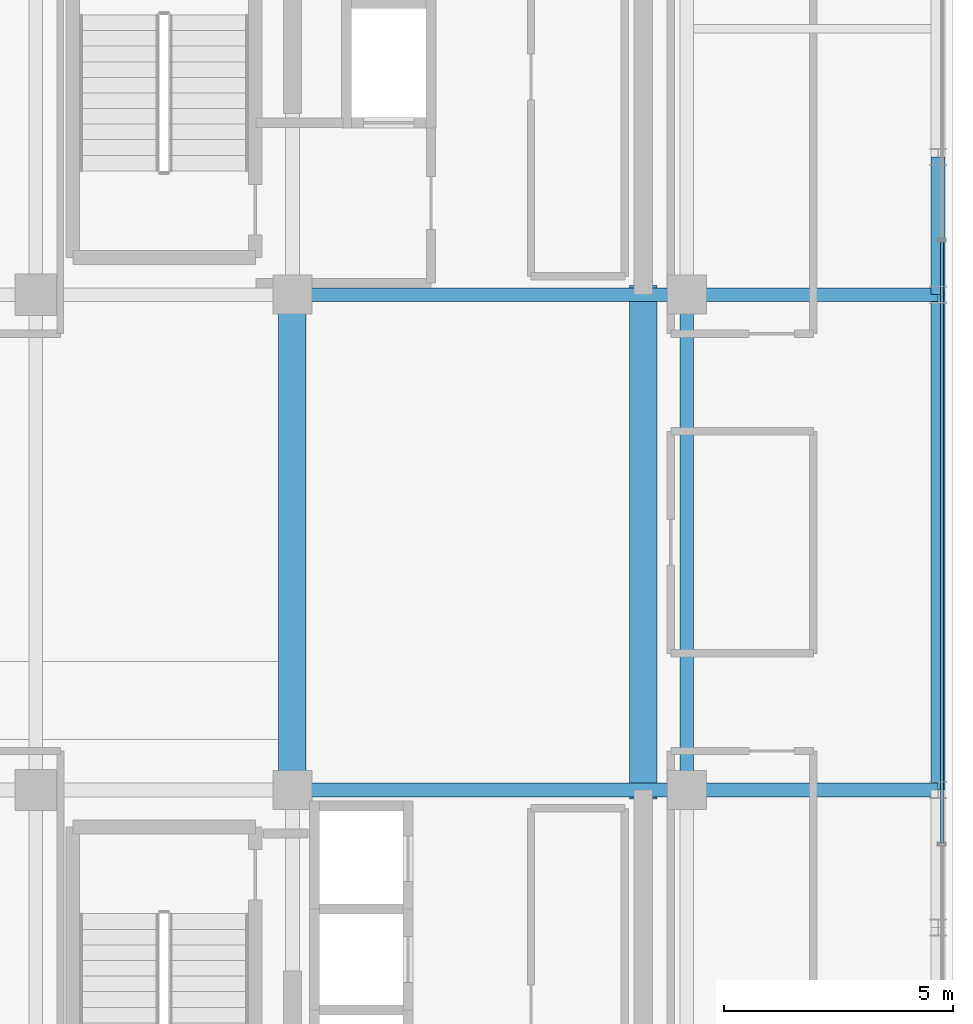
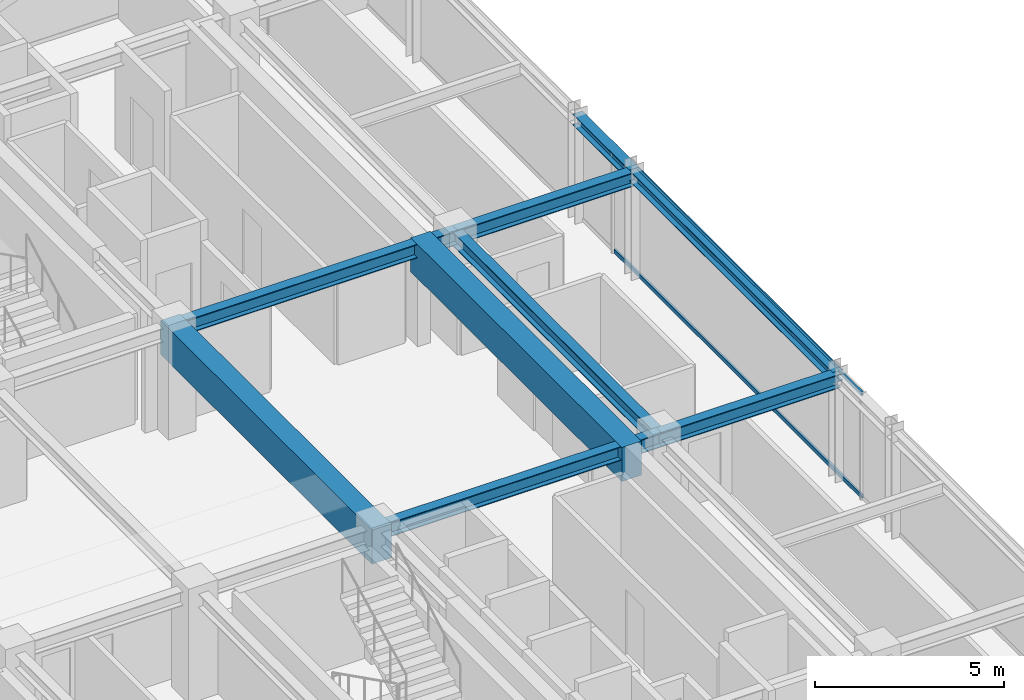
# One storey, part 15 of 36: 9 beams, 2 members, 1 element without a shape of its own.
"""IFC4 building model written with IfcOpenShell, lengths in metres."""

import ifcopenshell
import ifcopenshell.guid

model = None  # the IFC model being written
_history = None  # IfcOwnerHistory: only IFC2X3 demands one
_inside = {}  # id of a spatial element -> (the spatial element, [elements in it])
_under = {}  # id of a project, library or spatial element -> (it, [spatial elements below it])
_declared = {}  # id of a project -> (the project, [libraries it declares])
_typed = {}  # id of a type object -> (the type object, [elements of that type])
_made_of = {}  # id of a material, layer set ... -> (it, [elements and type objects made of it])


def new_model(schema):
    """Start an empty IFC model of exactly this schema.

    Asked for "IFC4X3", IfcOpenShell would pick the latest addendum, in which some entities
    have other attributes; the version numbers below select the first issue.
    IFC2X3 requires an IfcOwnerHistory on every rooted entity: one is made here for all.
    """
    global model, _history
    if schema == "IFC4X3":
        model = ifcopenshell.file(schema_version=(4, 3, 0, 0))
    else:
        model = ifcopenshell.file(schema=schema)
    _inside.clear()
    _under.clear()
    _declared.clear()
    _typed.clear()
    _made_of.clear()
    _history = None
    if model.schema == "IFC2X3":
        org = make("IfcOrganization", Name="unknown")
        user = make(
            "IfcPersonAndOrganization",
            ThePerson=make("IfcPerson", FamilyName="unknown"),
            TheOrganization=org,
        )
        app = make(
            "IfcApplication",
            ApplicationDeveloper=org,
            Version="unknown",
            ApplicationFullName="unknown",
            ApplicationIdentifier="unknown",
        )
        _history = make(
            "IfcOwnerHistory",
            OwningUser=user,
            OwningApplication=app,
            ChangeAction="ADDED",
            CreationDate=0,
        )
    return model


def make(cls, **values):
    """One entity of the class cls with the attributes given. An attribute that is None is left unset."""
    return model.create_entity(
        cls, **{name: value for name, value in values.items() if value is not None}
    )


def rooted(cls, **values):
    """An entity with a GlobalId (a new one), such as an element, a storey or a relation."""
    return make(cls, GlobalId=ifcopenshell.guid.new(), OwnerHistory=_history, **values)


def si_unit(unit_type, name, prefix=None):
    """IfcSIUnit, for example si_unit("LENGTHUNIT", "METRE", prefix="MILLI")."""
    return make("IfcSIUnit", UnitType=unit_type, Prefix=prefix, Name=name)


def assignment(units):
    """IfcUnitAssignment: the units of a project."""
    return None if units is None else make("IfcUnitAssignment", Units=units)


def point(xyz):
    """IfcCartesianPoint."""
    return None if xyz is None else make("IfcCartesianPoint", Coordinates=xyz)


def direction(xyz):
    """IfcDirection."""
    return None if xyz is None else make("IfcDirection", DirectionRatios=xyz)


def frame(location, z_axis=None, x_axis=None):
    """IfcAxis2Placement3D, a coordinate frame: its origin and axes. An axis left out is left unset."""
    return make(
        "IfcAxis2Placement3D",
        Location=point(location),
        Axis=direction(z_axis),
        RefDirection=direction(x_axis),
    )


def frame_2d(location, x_axis=None):
    """IfcAxis2Placement2D, a coordinate frame in the plane: its origin and x axis."""
    return make(
        "IfcAxis2Placement2D", Location=point(location), RefDirection=direction(x_axis)
    )


def origin():
    """The frame at (0, 0, 0) with its axes left unset."""
    return frame((0.0, 0.0, 0.0))


def origin_2d():
    """The frame at (0, 0) in the plane with its x axis left unset."""
    return frame_2d((0.0, 0.0))


def place(relative_to, where):
    """IfcLocalPlacement: puts the frame where relative to a parent placement (None: the world)."""
    return make(
        "IfcLocalPlacement", PlacementRelTo=relative_to, RelativePlacement=where
    )


def context(
    kind, dimensions, precision=None, world=None, true_north=None, identifier=None
):
    """IfcGeometricRepresentationContext, for example the 3D "Model" context."""
    return make(
        "IfcGeometricRepresentationContext",
        ContextIdentifier=identifier,
        ContextType=kind,
        CoordinateSpaceDimension=dimensions,
        Precision=precision,
        WorldCoordinateSystem=world,
        TrueNorth=true_north,
    )


def subcontext(parent, identifier, kind, view, scale=None):
    """IfcGeometricRepresentationSubContext, for example "Body" below "Model"."""
    return make(
        "IfcGeometricRepresentationSubContext",
        ContextIdentifier=identifier,
        ContextType=kind,
        ParentContext=parent,
        TargetScale=scale,
        TargetView=view,
    )


def project(units=None, contexts=None):
    """IfcProject with its units and contexts."""
    return rooted(
        "IfcProject",
        Name="project",
        RepresentationContexts=contexts,
        UnitsInContext=assignment(units),
    )


def spatial(cls, under=None, at=None, **own):
    """A site, building, storey or space (cls), placed at a placement, below another one or the project."""
    s = rooted(cls, ObjectPlacement=at, **own)
    if under is not None:
        _under.setdefault(under.id(), (under, []))[1].append(s)
    return s


def profile(cls, at=None, kind="AREA", **sizes):
    """A parametric profile (cls). Its sizes go by their IFC names, for example OverallWidth=200.0."""
    return make(cls, ProfileType=kind, Position=at, **sizes)


def rectangle(**sizes):
    """IfcRectangleProfileDef."""
    return profile("IfcRectangleProfileDef", **sizes)


def hollow_rectangle(**sizes):
    """IfcRectangleHollowProfileDef."""
    return profile("IfcRectangleHollowProfileDef", **sizes)


def i_section(**sizes):
    """IfcIShapeProfileDef."""
    return profile("IfcIShapeProfileDef", **sizes)


def extrude(swept, where, along, depth):
    """IfcExtrudedAreaSolid: the profile swept, set in the frame where, extruded along a direction by depth."""
    return make(
        "IfcExtrudedAreaSolid",
        SweptArea=swept,
        Position=where,
        ExtrudedDirection=direction(along),
        Depth=depth,
    )


def shape(context_of_items, identifier, shape_type, items):
    """IfcShapeRepresentation: the items that make up one representation, for example the "Body"."""
    return make(
        "IfcShapeRepresentation",
        ContextOfItems=context_of_items,
        RepresentationIdentifier=identifier,
        RepresentationType=shape_type,
        Items=items,
    )


def source(mapping_origin, context_of_items, identifier, shape_type, items):
    """IfcRepresentationMap: a shape defined once, which mapped items show again and again."""
    return make(
        "IfcRepresentationMap",
        MappingOrigin=mapping_origin,
        MappedRepresentation=shape(context_of_items, identifier, shape_type, items),
    )


def transform(
    local_origin,
    x_axis=None,
    y_axis=None,
    z_axis=None,
    scale=None,
    scale2=None,
    scale3=None,
    uniform=True,
):
    """IfcCartesianTransformationOperator3D, or its non-uniform kind. x_axis, y_axis, z_axis: its Axis1, 2, 3."""
    if uniform:
        return make(
            "IfcCartesianTransformationOperator3D",
            Axis1=direction(x_axis),
            Axis2=direction(y_axis),
            LocalOrigin=point(local_origin),
            Scale=scale,
            Axis3=direction(z_axis),
        )
    return make(
        "IfcCartesianTransformationOperator3DnonUniform",
        Axis1=direction(x_axis),
        Axis2=direction(y_axis),
        LocalOrigin=point(local_origin),
        Scale=scale,
        Axis3=direction(z_axis),
        Scale2=scale2,
        Scale3=scale3,
    )


def mapped(mapping_source, mapping_target):
    """IfcMappedItem: shows the shape of a source again, moved by a transform."""
    return make(
        "IfcMappedItem", MappingSource=mapping_source, MappingTarget=mapping_target
    )


def material(Name=None, Category=None):
    """IfcMaterial."""
    return make("IfcMaterial", Name=Name, Category=Category)


def material_profile(
    of_material, cross_section, Name=None, Category=None, Priority=None
):
    """IfcMaterialProfile: a cross section and its material."""
    return make(
        "IfcMaterialProfile",
        Name=Name,
        Material=of_material,
        Profile=cross_section,
        Priority=Priority,
        Category=Category,
    )


def profile_set(profiles, Name=None, composite=None):
    """IfcMaterialProfileSet."""
    return make(
        "IfcMaterialProfileSet",
        Name=Name,
        MaterialProfiles=profiles,
        CompositeProfile=composite,
    )


def made_of(thing, what):
    """Note that an element or type object is made of a material, layer set ...; save() writes the relation."""
    if what is not None:
        _made_of.setdefault(what.id(), (what, []))[1].append(thing)
    return thing


def type_object(cls, material=None, **own):
    """A type object (cls), such as IfcWallType, which elements share."""
    return made_of(rooted(cls, **own), material)


def element(
    cls,
    number,
    at=None,
    inside=None,
    cuts=None,
    type_object=None,
    material=None,
    context=None,
    identifier="Body",
    shape_type=None,
    held_by="IfcProductDefinitionShape",
    body=None,
    shapes=None,
    **own,
):
    """One element of the class cls, such as IfcWall. Its Tag is "e" and its number.

    at: its placement. inside: the storey or other place that contains it. cuts: it is an
    opening in that element (IfcRelVoidsElement). A single representation is given by context,
    identifier, shape_type and body (its items); several are given by shapes. held_by: the class
    of the entity that holds the representations. save() writes the other relations.
    """
    e = rooted(cls, Tag="e%d" % number, ObjectPlacement=at, **own)
    if body is not None:
        shapes = [shape(context, identifier, shape_type, body)]
    if shapes is not None:
        e.Representation = make(held_by, Representations=shapes)
    if inside is not None:
        _inside.setdefault(inside.id(), (inside, []))[1].append(e)
    if cuts is not None:
        rooted(
            "IfcRelVoidsElement", RelatingBuildingElement=cuts, RelatedOpeningElement=e
        )
    if type_object is not None:
        _typed.setdefault(type_object.id(), (type_object, []))[1].append(e)
    return made_of(e, material)


def aggregate(whole, parts):
    """IfcRelAggregates: a whole, such as a stair, and the parts it consists of."""
    return rooted("IfcRelAggregates", RelatingObject=whole, RelatedObjects=parts)


def save(model, path):
    """Write the relations noted so far, then the file.

    IfcRelAggregates (storeys below a building ...), IfcRelContainedInSpatialStructure (elements
    in a storey), IfcRelDefinesByType, IfcRelAssociatesMaterial and IfcRelDeclares: one each for
    every whole, place, type object, material and project.
    """
    for whole, parts in _under.values():
        aggregate(whole, parts)
    for where, things in _inside.values():
        rooted(
            "IfcRelContainedInSpatialStructure",
            RelatedElements=things,
            RelatingStructure=where,
        )
    for kind, things in _typed.values():
        rooted("IfcRelDefinesByType", RelatedObjects=things, RelatingType=kind)
    for what, things in _made_of.values():
        rooted("IfcRelAssociatesMaterial", RelatedObjects=things, RelatingMaterial=what)
    for by, libraries in _declared.values():
        rooted("IfcRelDeclares", RelatingContext=by, RelatedDefinitions=libraries)
    model.write(path)


model = new_model("IFC4")

# Units and contexts
model_context = context("Model", 3, precision=1e-05, world=origin(), true_north=direction((0.0, 1.0)))
body_context = subcontext(model_context, "Body", "Model", "MODEL_VIEW")
ifc_project = project(units=[si_unit("LENGTHUNIT", "METRE"), si_unit("AREAUNIT", "SQUARE_METRE"), si_unit("VOLUMEUNIT", "CUBIC_METRE"), si_unit("PLANEANGLEUNIT", "RADIAN"), si_unit("MASSUNIT", "GRAM", prefix="KILO")], contexts=[model_context])

# Site, building, storey
site_placement = place(None, origin())
site = spatial("IfcSite", under=ifc_project, at=site_placement, CompositionType="ELEMENT")
building_placement = place(site_placement, origin())
building = spatial("IfcBuilding", under=site, at=building_placement, Name="Nahalor Promenade Grand Hotel", CompositionType="ELEMENT")
storey_placement = place(building_placement, frame((0.0, 0.0, 273.800048828125)))
storey = spatial("IfcBuildingStorey", under=building, at=storey_placement, Name="L70", CompositionType="ELEMENT", Elevation=273.800048828125)

# Beams
ifc_material_1 = material(Name="Concrete B-60 (C50/60)", Category="concrete")
ifc_material_profile_1 = material_profile(ifc_material_1, rectangle(XDim=0.6, YDim=1.1, at=origin_2d()), Name="RC 600x1100")
ifc_profile_set_1 = profile_set([ifc_material_profile_1], Name="Concrete B-60 (C50/60)")
beam_type_1 = type_object("IfcBeamType", Name="Beam-Lintel-RC1100", PredefinedType="LINTEL", material=ifc_profile_set_1)
shared_shape_1 = source(origin(), body_context, "Body", "SweptSolid", [
    extrude(rectangle(XDim=0.6, YDim=1.1, at=origin_2d()), origin(), (0.0, 0.0, 1.0), 11.2001953125),
])
for number, where, z_axis, x_axis, name in (
    (1, (8.39990234375, -5.60009765625, 2.89990234375), (0.0, 1.0, 0.0), (-1.0, 0.0, 0.0), "BM-L70-LINT-W"),
    (2, (16.050048828125, -5.60009765625, 2.89990234375), (0.0, 1.0, 0.0), (-1.0, 0.0, 0.0), "BM-L70-LINT-E"),
):
    element("IfcBeam", number, at=place(storey_placement, frame(where, z_axis=z_axis, x_axis=x_axis)), inside=storey, type_object=beam_type_1, Name=name, PredefinedType="LINTEL", context=body_context, shape_type="MappedRepresentation", body=[
        mapped(shared_shape_1, transform((0.0, 0.0, 0.0), scale=1.0)),
    ])
ifc_material_2 = material(Name="Steel S355JR", Category="steel")
ifc_material_profile_2 = material_profile(ifc_material_2, i_section(OverallWidth=0.3, OverallDepth=0.45, WebThickness=0.014, FlangeThickness=0.026, at=origin_2d()), Name="HEB 450")
ifc_profile_set_2 = profile_set([ifc_material_profile_2], Name="Steel S355JR")
beam_type_2 = type_object("IfcBeamType", Name="Beam-Girder-HEB450", PredefinedType="BEAM", material=ifc_profile_set_2)
shared_shape_2 = source(origin(), body_context, "Body", "SweptSolid", [
    extrude(i_section(OverallWidth=0.3, OverallDepth=0.45, WebThickness=0.014, FlangeThickness=0.026, at=origin_2d()), origin(), (0.0, 0.0, 1.0), 8.60009765625),
])
for number, where, z_axis, x_axis, name in (
    (3, (8.39990234375, -5.39990234375, 3.224853515625), (1.0, 0.0, 0.0), (0.0, 1.0, 0.0), "BM-L70-GX-1-5"),
    (4, (8.39990234375, 5.39990234375, 3.224853515625), (1.0, 0.0, 0.0), (0.0, 1.0, 0.0), "BM-L70-GX-2-5"),
):
    element("IfcBeam", number, at=place(storey_placement, frame(where, z_axis=z_axis, x_axis=x_axis)), inside=storey, type_object=beam_type_2, Name=name, PredefinedType="BEAM", context=body_context, shape_type="MappedRepresentation", body=[
        mapped(shared_shape_2, transform((0.0, 0.0, 0.0), scale=1.0)),
    ])
shared_shape_3 = source(origin(), body_context, "Body", "SweptSolid", [
    extrude(i_section(OverallWidth=0.3, OverallDepth=0.45, WebThickness=0.014, FlangeThickness=0.026, at=origin_2d()), origin(), (0.0, 0.0, 1.0), 10.7998046875),
])
beam_1_placement = place(storey_placement, frame((17.0, -5.39990234375, 3.224853515625), z_axis=(0.0, 1.0, 0.0), x_axis=(-1.0, 0.0, 0.0)))
element("IfcBeam", 5, at=beam_1_placement, inside=storey, type_object=beam_type_2, Name="BM-L70-GY-5-2", PredefinedType="BEAM", context=body_context, shape_type="MappedRepresentation", body=[
    mapped(shared_shape_3, transform((0.0, 0.0, 0.0), scale=1.0)),
])
shared_shape_4 = source(origin(), body_context, "Body", "SweptSolid", [
    extrude(i_section(OverallWidth=0.3, OverallDepth=0.45, WebThickness=0.014, FlangeThickness=0.026, at=origin_2d()), origin(), (0.0, 0.0, 1.0), 5.47998046875),
])
for number, where, z_axis, x_axis, name in (
    (6, (17.0, -5.39990234375, 3.224853515625), (1.0, 0.0, 0.0), (0.0, 1.0, 0.0), "BM-L70-GX-1-6"),
    (7, (17.0, 5.39990234375, 3.224853515625), (1.0, 0.0, 0.0), (0.0, 1.0, 0.0), "BM-L70-GX-2-6"),
):
    element("IfcBeam", number, at=place(storey_placement, frame(where, z_axis=z_axis, x_axis=x_axis)), inside=storey, type_object=beam_type_2, Name=name, PredefinedType="BEAM", context=body_context, shape_type="MappedRepresentation", body=[
        mapped(shared_shape_4, transform((0.0, 0.0, 0.0), scale=1.0)),
    ])
ifc_material_profile_3 = material_profile(ifc_material_2, i_section(OverallWidth=0.3, OverallDepth=0.36, WebThickness=0.0125, FlangeThickness=0.0225, at=origin_2d()), Name="HEB 360")
ifc_profile_set_3 = profile_set([ifc_material_profile_3], Name="Steel S355JR")
beam_type_3 = type_object("IfcBeamType", Name="Beam-Spandrel-HEB360", PredefinedType="SPANDREL", material=ifc_profile_set_3)
shared_shape_5 = source(origin(), body_context, "Body", "SweptSolid", [
    extrude(i_section(OverallWidth=0.3, OverallDepth=0.36, WebThickness=0.0125, FlangeThickness=0.0225, at=origin_2d()), origin(), (0.0, 0.0, 1.0), 3.0),
])
beam_2_placement = place(storey_placement, frame((22.47998046875, 5.39990234375, 3.27001953125), z_axis=(0.0, 1.0, 0.0), x_axis=(-1.0, 0.0, 0.0)))
element("IfcBeam", 8, at=beam_2_placement, inside=storey, type_object=beam_type_3, Name="BM-L70-SP-E-3", PredefinedType="SPANDREL", context=body_context, shape_type="MappedRepresentation", body=[
    mapped(shared_shape_5, transform((0.0, 0.0, 0.0), scale=1.0)),
])
shared_shape_6 = source(origin(), body_context, "Body", "SweptSolid", [
    extrude(i_section(OverallWidth=0.3, OverallDepth=0.36, WebThickness=0.0125, FlangeThickness=0.0225, at=origin_2d()), origin(), (0.0, 0.0, 1.0), 10.7998046875),
])
beam_3_placement = place(storey_placement, frame((22.47998046875, -5.39990234375, 3.27001953125), z_axis=(0.0, 1.0, 0.0), x_axis=(-1.0, 0.0, 0.0)))
element("IfcBeam", 9, at=beam_3_placement, inside=storey, type_object=beam_type_3, Name="BM-L70-SP-E-2", PredefinedType="SPANDREL", context=body_context, shape_type="MappedRepresentation", body=[
    mapped(shared_shape_6, transform((0.0, 0.0, 0.0), scale=1.0)),
])

# Curtain wall, members
ifc_material_3 = material(Name="Anodised Bronze Aluminium EN AW-6063 T6", Category="aluminium")
curtain_wall_type = type_object("IfcCurtainWallType", Name="CW2 Typical Hotel Flush Bronze Unitised Curtain Wall", PredefinedType="USERDEFINED", material=ifc_material_3)
curtain_wall_placement = place(storey_placement, origin())
curtain_wall = element("IfcCurtainWall", 10, at=curtain_wall_placement, inside=storey, type_object=curtain_wall_type, Name="L70 Curtain Wall CW-L70-E-1", ObjectType="UNITISED_CURTAIN_WALL", PredefinedType="USERDEFINED")
ifc_material_profile_4 = material_profile(ifc_material_3, hollow_rectangle(XDim=0.065, YDim=0.13, WallThickness=0.004, at=origin_2d()), Name="CWT 65x130x4")
ifc_profile_set_4 = profile_set([ifc_material_profile_4], Name="Anodised Bronze Aluminium EN AW-6063 T6")
member_type = type_object("IfcMemberType", Name="CWT2 Typical Bronze Transom 65x130", PredefinedType="USERDEFINED", material=ifc_profile_set_4)
shared_shape_7 = source(origin(), body_context, "Body", "SweptSolid", [
    extrude(hollow_rectangle(XDim=0.065, YDim=0.13, WallThickness=0.004, at=origin_2d()), origin(), (0.0, 0.0, 1.0), 13.1083984375),
])
member_1_placement = place(storey_placement, frame((22.56005859375, -6.55419921875, 0.06494140625), z_axis=(0.0, 1.0, 0.0), x_axis=(-1.0, 0.0, 0.0)))
member_1 = element("IfcMember", 11, at=member_1_placement, type_object=member_type, Name="CW-L70-E-1 Transom 1-0", ObjectType="TRANSOM", PredefinedType="USERDEFINED", context=body_context, shape_type="MappedRepresentation", body=[
    mapped(shared_shape_7, transform((0.0, 0.0, 0.0), scale=1.0)),
])
member_2_placement = place(storey_placement, frame((22.56005859375, -6.55419921875, 3.385009765625), z_axis=(0.0, 1.0, 0.0), x_axis=(-1.0, 0.0, 0.0)))
member_2 = element("IfcMember", 12, at=member_2_placement, type_object=member_type, Name="CW-L70-E-1 Transom 1-1", ObjectType="TRANSOM", PredefinedType="USERDEFINED", context=body_context, shape_type="MappedRepresentation", body=[
    mapped(shared_shape_7, transform((0.0, 0.0, 0.0), scale=1.0)),
])
aggregate(curtain_wall, [member_1, member_2])

save(model, "model.ifc")
